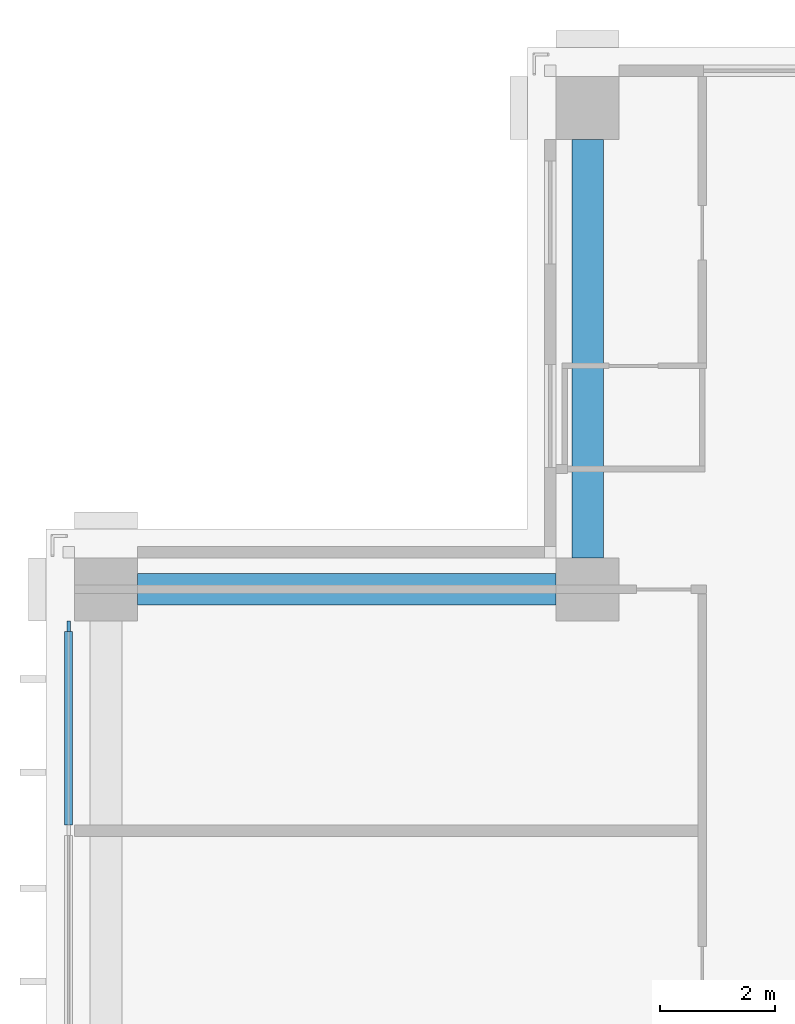
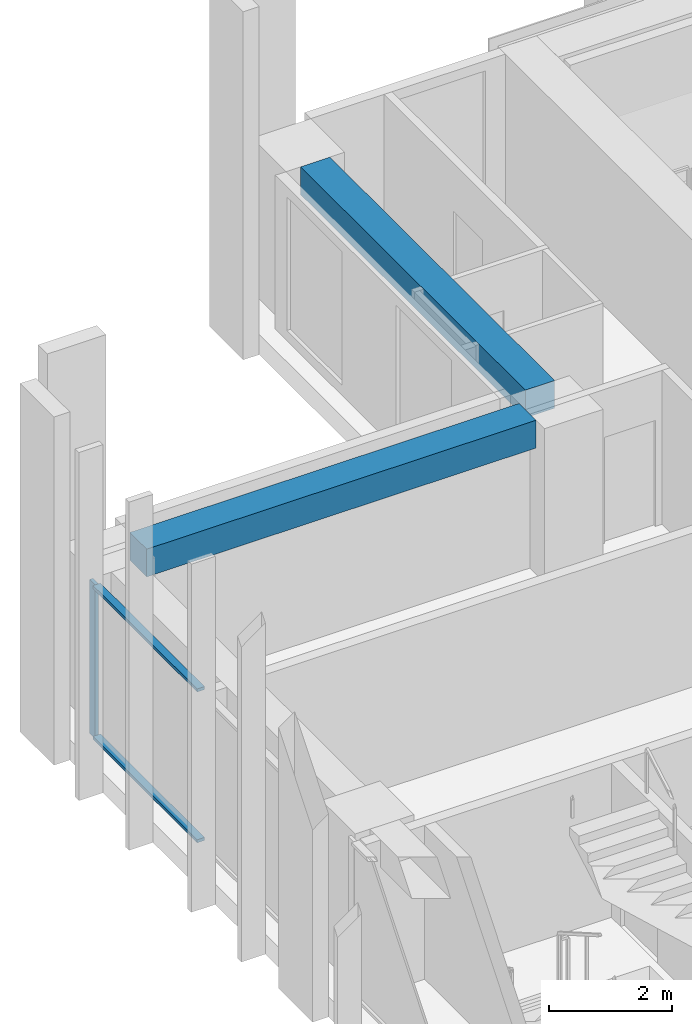
# One storey, part 6 of 16: 3 members, 2 beams, 1 element without a shape of its own.
"""IFC4 building model written with IfcOpenShell, lengths in metres."""

import ifcopenshell
import ifcopenshell.guid

model = None  # the IFC model being written
_history = None  # IfcOwnerHistory: only IFC2X3 demands one
_inside = {}  # id of a spatial element -> (the spatial element, [elements in it])
_under = {}  # id of a project, library or spatial element -> (it, [spatial elements below it])
_declared = {}  # id of a project -> (the project, [libraries it declares])
_typed = {}  # id of a type object -> (the type object, [elements of that type])
_made_of = {}  # id of a material, layer set ... -> (it, [elements and type objects made of it])


def new_model(schema):
    """Start an empty IFC model of exactly this schema.

    Asked for "IFC4X3", IfcOpenShell would pick the latest addendum, in which some entities
    have other attributes; the version numbers below select the first issue.
    IFC2X3 requires an IfcOwnerHistory on every rooted entity: one is made here for all.
    """
    global model, _history
    if schema == "IFC4X3":
        model = ifcopenshell.file(schema_version=(4, 3, 0, 0))
    else:
        model = ifcopenshell.file(schema=schema)
    _inside.clear()
    _under.clear()
    _declared.clear()
    _typed.clear()
    _made_of.clear()
    _history = None
    if model.schema == "IFC2X3":
        org = make("IfcOrganization", Name="unknown")
        user = make(
            "IfcPersonAndOrganization",
            ThePerson=make("IfcPerson", FamilyName="unknown"),
            TheOrganization=org,
        )
        app = make(
            "IfcApplication",
            ApplicationDeveloper=org,
            Version="unknown",
            ApplicationFullName="unknown",
            ApplicationIdentifier="unknown",
        )
        _history = make(
            "IfcOwnerHistory",
            OwningUser=user,
            OwningApplication=app,
            ChangeAction="ADDED",
            CreationDate=0,
        )
    return model


def make(cls, **values):
    """One entity of the class cls with the attributes given. An attribute that is None is left unset."""
    return model.create_entity(
        cls, **{name: value for name, value in values.items() if value is not None}
    )


def rooted(cls, **values):
    """An entity with a GlobalId (a new one), such as an element, a storey or a relation."""
    return make(cls, GlobalId=ifcopenshell.guid.new(), OwnerHistory=_history, **values)


def si_unit(unit_type, name, prefix=None):
    """IfcSIUnit, for example si_unit("LENGTHUNIT", "METRE", prefix="MILLI")."""
    return make("IfcSIUnit", UnitType=unit_type, Prefix=prefix, Name=name)


def assignment(units):
    """IfcUnitAssignment: the units of a project."""
    return None if units is None else make("IfcUnitAssignment", Units=units)


def point(xyz):
    """IfcCartesianPoint."""
    return None if xyz is None else make("IfcCartesianPoint", Coordinates=xyz)


def direction(xyz):
    """IfcDirection."""
    return None if xyz is None else make("IfcDirection", DirectionRatios=xyz)


def frame(location, z_axis=None, x_axis=None):
    """IfcAxis2Placement3D, a coordinate frame: its origin and axes. An axis left out is left unset."""
    return make(
        "IfcAxis2Placement3D",
        Location=point(location),
        Axis=direction(z_axis),
        RefDirection=direction(x_axis),
    )


def frame_2d(location, x_axis=None):
    """IfcAxis2Placement2D, a coordinate frame in the plane: its origin and x axis."""
    return make(
        "IfcAxis2Placement2D", Location=point(location), RefDirection=direction(x_axis)
    )


def origin():
    """The frame at (0, 0, 0) with its axes left unset."""
    return frame((0.0, 0.0, 0.0))


def origin_2d():
    """The frame at (0, 0) in the plane with its x axis left unset."""
    return frame_2d((0.0, 0.0))


def place(relative_to, where):
    """IfcLocalPlacement: puts the frame where relative to a parent placement (None: the world)."""
    return make(
        "IfcLocalPlacement", PlacementRelTo=relative_to, RelativePlacement=where
    )


def context(
    kind, dimensions, precision=None, world=None, true_north=None, identifier=None
):
    """IfcGeometricRepresentationContext, for example the 3D "Model" context."""
    return make(
        "IfcGeometricRepresentationContext",
        ContextIdentifier=identifier,
        ContextType=kind,
        CoordinateSpaceDimension=dimensions,
        Precision=precision,
        WorldCoordinateSystem=world,
        TrueNorth=true_north,
    )


def subcontext(parent, identifier, kind, view, scale=None):
    """IfcGeometricRepresentationSubContext, for example "Body" below "Model"."""
    return make(
        "IfcGeometricRepresentationSubContext",
        ContextIdentifier=identifier,
        ContextType=kind,
        ParentContext=parent,
        TargetScale=scale,
        TargetView=view,
    )


def project(units=None, contexts=None):
    """IfcProject with its units and contexts."""
    return rooted(
        "IfcProject",
        Name="project",
        RepresentationContexts=contexts,
        UnitsInContext=assignment(units),
    )


def spatial(cls, under=None, at=None, **own):
    """A site, building, storey or space (cls), placed at a placement, below another one or the project."""
    s = rooted(cls, ObjectPlacement=at, **own)
    if under is not None:
        _under.setdefault(under.id(), (under, []))[1].append(s)
    return s


def profile(cls, at=None, kind="AREA", **sizes):
    """A parametric profile (cls). Its sizes go by their IFC names, for example OverallWidth=200.0."""
    return make(cls, ProfileType=kind, Position=at, **sizes)


def rectangle(**sizes):
    """IfcRectangleProfileDef."""
    return profile("IfcRectangleProfileDef", **sizes)


def extrude(swept, where, along, depth):
    """IfcExtrudedAreaSolid: the profile swept, set in the frame where, extruded along a direction by depth."""
    return make(
        "IfcExtrudedAreaSolid",
        SweptArea=swept,
        Position=where,
        ExtrudedDirection=direction(along),
        Depth=depth,
    )


def shape(context_of_items, identifier, shape_type, items):
    """IfcShapeRepresentation: the items that make up one representation, for example the "Body"."""
    return make(
        "IfcShapeRepresentation",
        ContextOfItems=context_of_items,
        RepresentationIdentifier=identifier,
        RepresentationType=shape_type,
        Items=items,
    )


def material(Name=None, Category=None):
    """IfcMaterial."""
    return make("IfcMaterial", Name=Name, Category=Category)


def material_profile(
    of_material, cross_section, Name=None, Category=None, Priority=None
):
    """IfcMaterialProfile: a cross section and its material."""
    return make(
        "IfcMaterialProfile",
        Name=Name,
        Material=of_material,
        Profile=cross_section,
        Priority=Priority,
        Category=Category,
    )


def profile_set(profiles, Name=None, composite=None):
    """IfcMaterialProfileSet."""
    return make(
        "IfcMaterialProfileSet",
        Name=Name,
        MaterialProfiles=profiles,
        CompositeProfile=composite,
    )


def made_of(thing, what):
    """Note that an element or type object is made of a material, layer set ...; save() writes the relation."""
    if what is not None:
        _made_of.setdefault(what.id(), (what, []))[1].append(thing)
    return thing


def type_object(cls, material=None, **own):
    """A type object (cls), such as IfcWallType, which elements share."""
    return made_of(rooted(cls, **own), material)


def element(
    cls,
    number,
    at=None,
    inside=None,
    cuts=None,
    type_object=None,
    material=None,
    context=None,
    identifier="Body",
    shape_type=None,
    held_by="IfcProductDefinitionShape",
    body=None,
    shapes=None,
    **own,
):
    """One element of the class cls, such as IfcWall. Its Tag is "e" and its number.

    at: its placement. inside: the storey or other place that contains it. cuts: it is an
    opening in that element (IfcRelVoidsElement). A single representation is given by context,
    identifier, shape_type and body (its items); several are given by shapes. held_by: the class
    of the entity that holds the representations. save() writes the other relations.
    """
    e = rooted(cls, Tag="e%d" % number, ObjectPlacement=at, **own)
    if body is not None:
        shapes = [shape(context, identifier, shape_type, body)]
    if shapes is not None:
        e.Representation = make(held_by, Representations=shapes)
    if inside is not None:
        _inside.setdefault(inside.id(), (inside, []))[1].append(e)
    if cuts is not None:
        rooted(
            "IfcRelVoidsElement", RelatingBuildingElement=cuts, RelatedOpeningElement=e
        )
    if type_object is not None:
        _typed.setdefault(type_object.id(), (type_object, []))[1].append(e)
    return made_of(e, material)


def aggregate(whole, parts):
    """IfcRelAggregates: a whole, such as a stair, and the parts it consists of."""
    return rooted("IfcRelAggregates", RelatingObject=whole, RelatedObjects=parts)


def save(model, path):
    """Write the relations noted so far, then the file.

    IfcRelAggregates (storeys below a building ...), IfcRelContainedInSpatialStructure (elements
    in a storey), IfcRelDefinesByType, IfcRelAssociatesMaterial and IfcRelDeclares: one each for
    every whole, place, type object, material and project.
    """
    for whole, parts in _under.values():
        aggregate(whole, parts)
    for where, things in _inside.values():
        rooted(
            "IfcRelContainedInSpatialStructure",
            RelatedElements=things,
            RelatingStructure=where,
        )
    for kind, things in _typed.values():
        rooted("IfcRelDefinesByType", RelatedObjects=things, RelatingType=kind)
    for what, things in _made_of.values():
        rooted("IfcRelAssociatesMaterial", RelatedObjects=things, RelatingMaterial=what)
    for by, libraries in _declared.values():
        rooted("IfcRelDeclares", RelatingContext=by, RelatedDefinitions=libraries)
    model.write(path)


model = new_model("IFC4")

# Units and contexts
model_context = context("Model", 3, precision=1e-05, world=origin(), true_north=direction((0.0, 1.0)))
body_context = subcontext(model_context, "Body", "Model", "MODEL_VIEW")
ifc_project = project(units=[si_unit("LENGTHUNIT", "METRE"), si_unit("AREAUNIT", "SQUARE_METRE"), si_unit("VOLUMEUNIT", "CUBIC_METRE"), si_unit("PLANEANGLEUNIT", "RADIAN"), si_unit("MASSUNIT", "GRAM", prefix="KILO")], contexts=[model_context])

# Site, building, storey
site_placement = place(None, origin())
site = spatial("IfcSite", under=ifc_project, at=site_placement, CompositionType="ELEMENT")
building_placement = place(site_placement, origin())
building = spatial("IfcBuilding", under=site, at=building_placement, Name="Vermilion Ogive Tower", CompositionType="ELEMENT")
storey_placement = place(building_placement, frame((0.0, 0.0, 150.35009765625)))
storey = spatial("IfcBuildingStorey", under=building, at=storey_placement, Name="L38", CompositionType="ELEMENT", Elevation=150.35009765625)

# Curtain wall, members
ifc_material_1 = material(Name="Low-iron laminated glazing in aluminium frame", Category="aluminium")
curtain_wall_type = type_object("IfcCurtainWallType", Name="Curtain wall CW7", PredefinedType="NOTDEFINED", material=ifc_material_1)
curtain_wall_placement = place(storey_placement, origin())
curtain_wall = element("IfcCurtainWall", 1, at=curtain_wall_placement, inside=storey, type_object=curtain_wall_type, Name="Glazed skin W1", PredefinedType="NOTDEFINED")
ifc_material_2 = material(Name="Aluminium mullion", Category="aluminium")
ifc_material_profile_1 = material_profile(ifc_material_2, rectangle(XDim=0.06005859375, YDim=0.179931640625, at=origin_2d()), Name="AL 60x180")
ifc_profile_set_1 = profile_set([ifc_material_profile_1], Name="Aluminium mullion")
member_type_1 = type_object("IfcMemberType", Name="CW7 mullion 60x180", PredefinedType="MULLION", material=ifc_profile_set_1)
member_1_placement = place(storey_placement, frame((-21.64990234375, 11.9599609375, 0.0), z_axis=(0.0, 0.0, 1.0), x_axis=(1.0, 0.0, 0.0)))
member_1 = element("IfcMember", 2, at=member_1_placement, type_object=member_type_1, Name="CW7-W1 mullion 1", PredefinedType="MULLION", context=body_context, shape_type="SweptSolid", body=[
    extrude(rectangle(XDim=0.06005859375, YDim=0.179931640625, at=origin_2d()), origin(), (0.0, 0.0, 1.0), 3.0498046875),
])
ifc_material_3 = material(Name="Aluminium transom", Category="aluminium")
ifc_material_profile_2 = material_profile(ifc_material_3, rectangle(XDim=0.139892578125, YDim=0.06005859375, at=origin_2d()), Name="AL 60x140")
ifc_profile_set_2 = profile_set([ifc_material_profile_2], Name="Aluminium transom")
member_type_2 = type_object("IfcMemberType", Name="CW7 transom 60x140", PredefinedType="USERDEFINED", material=ifc_profile_set_2)
member_2_placement = place(storey_placement, frame((-21.64990234375, 11.8701171875, 0.02978515625), z_axis=(0.0, -1.0, 0.0), x_axis=(1.0, 0.0, 0.0)))
member_2 = element("IfcMember", 3, at=member_2_placement, type_object=member_type_2, Name="CW7-W1 transom 1.1", ObjectType="TRANSOM", PredefinedType="USERDEFINED", context=body_context, shape_type="SweptSolid", body=[
    extrude(rectangle(XDim=0.139892578125, YDim=0.06005859375, at=origin_2d()), origin(), (0.0, 0.0, 1.0), 3.380126953125),
])
member_3_placement = place(storey_placement, frame((-21.64990234375, 11.8701171875, 3.02001953125), z_axis=(0.0, -1.0, 0.0), x_axis=(1.0, 0.0, 0.0)))
member_3 = element("IfcMember", 4, at=member_3_placement, type_object=member_type_2, Name="CW7-W1 transom 1.2", ObjectType="TRANSOM", PredefinedType="USERDEFINED", context=body_context, shape_type="SweptSolid", body=[
    extrude(rectangle(XDim=0.139892578125, YDim=0.06005859375, at=origin_2d()), origin(), (0.0, 0.0, 1.0), 3.380126953125),
])
aggregate(curtain_wall, [member_1, member_2, member_3])

# Beams
ifc_material_4 = material(Name="Concrete B45", Category="concrete")
ifc_material_profile_3 = material_profile(ifc_material_4, rectangle(XDim=0.550048828125, YDim=0.550048828125, at=origin_2d()), Name="550 x 550")
ifc_profile_set_3 = profile_set([ifc_material_profile_3], Name="Concrete B45")
beam_type = type_object("IfcBeamType", Name="Edge beam 550 x 550 B45", PredefinedType="BEAM", material=ifc_profile_set_3)
for number, where, z_axis, x_axis, name in (
    (5, (-12.60009765625, 20.449951171875, 2.77490234375), (0.0, -1.0, 0.0), (1.0, 0.0, 0.0), "L38-EB-11"),
    (6, (-13.14990234375, 12.60009765625, 2.77490234375), (-1.0, 0.0, 0.0), (0.0, -1.0, 0.0), "L38-EB-12"),
):
    element("IfcBeam", number, at=place(storey_placement, frame(where, z_axis=z_axis, x_axis=x_axis)), inside=storey, type_object=beam_type, Name=name, PredefinedType="BEAM", context=body_context, shape_type="SweptSolid", body=[
        extrude(rectangle(XDim=0.550048828125, YDim=0.550048828125, at=origin_2d()), origin(), (0.0, 0.0, 1.0), 7.300048828125),
    ])

save(model, "model.ifc")
